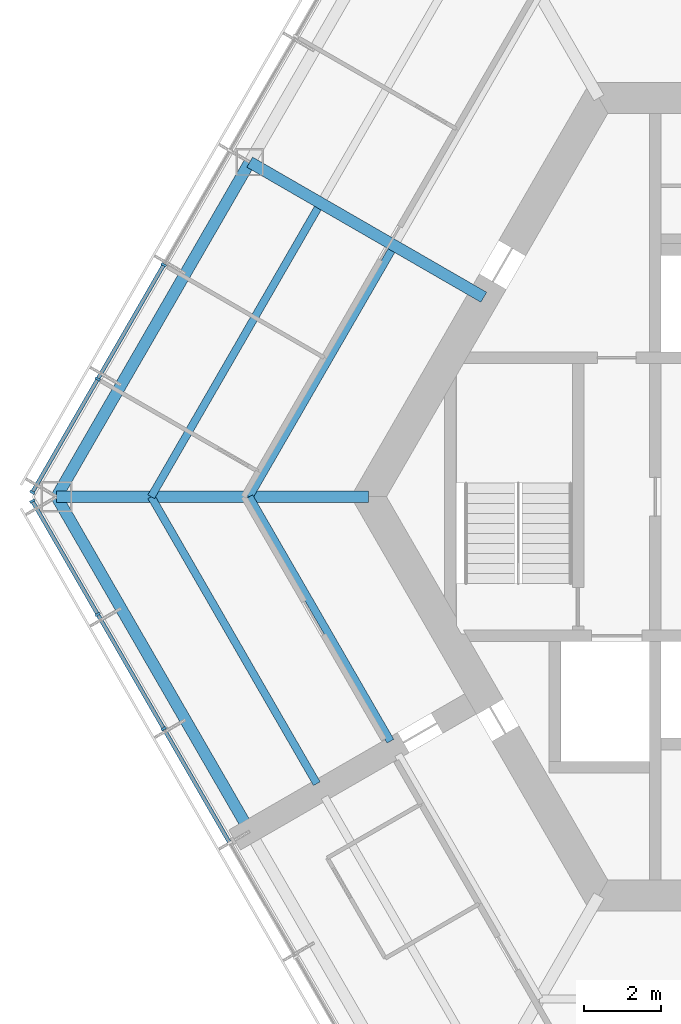
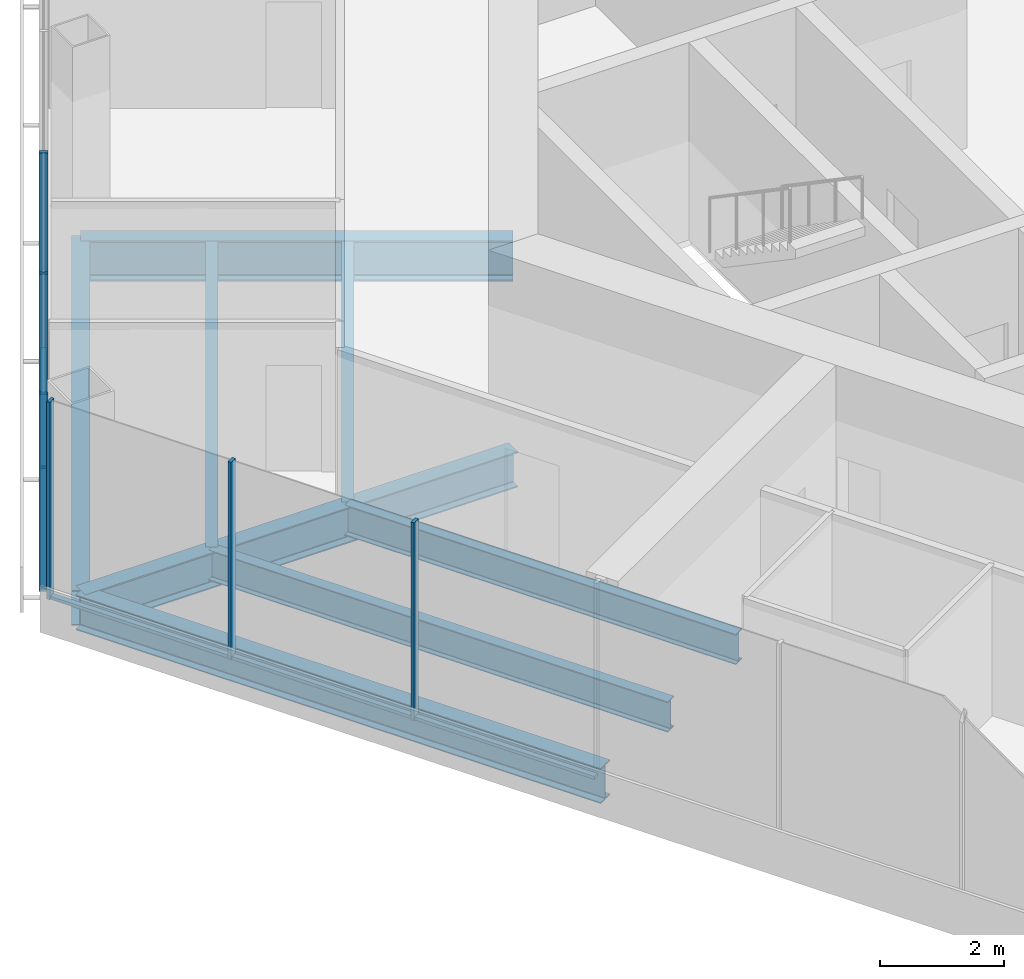
# One storey, part 3 of 16: 11 members, 8 beams, 2 elements without a shape of their own.
"""IFC4 building model written with IfcOpenShell, lengths in metres."""

from ifc_helpers import new_model, si_unit, direction, frame, origin, origin_2d, place, context, subcontext, project, spatial, rectangle, i_section, extrude, material, material_profile, profile_set, type_object, element, aggregate, save


model = new_model("IFC4")

# Units and contexts
model_context = context("Model", 3, precision=1e-05, world=origin(), true_north=direction((0.0, 1.0)))
body_context = subcontext(model_context, "Body", "Model", "MODEL_VIEW")
ifc_project = project(units=[si_unit("LENGTHUNIT", "METRE"), si_unit("AREAUNIT", "SQUARE_METRE"), si_unit("VOLUMEUNIT", "CUBIC_METRE"), si_unit("PLANEANGLEUNIT", "RADIAN"), si_unit("MASSUNIT", "GRAM", prefix="KILO")], contexts=[model_context])

# Site, building, storey
site_placement = place(None, origin())
site = spatial("IfcSite", under=ifc_project, at=site_placement, CompositionType="ELEMENT")
building_placement = place(site_placement, origin())
building = spatial("IfcBuilding", under=site, at=building_placement, Name="Kasaneha Research Tower", CompositionType="ELEMENT")
storey_placement = place(building_placement, frame((0.0, 0.0, 263.5)))
storey = spatial("IfcBuildingStorey", under=building, at=storey_placement, Name="L66", CompositionType="ELEMENT", Elevation=263.5)

# Beams
ifc_material_1 = material(Name="Steel SN490B", Category="steel")
ifc_material_profile_1 = material_profile(ifc_material_1, i_section(OverallWidth=0.199951171875, OverallDepth=0.60009765625, WebThickness=0.010986328125, FlangeThickness=0.01708984375, FilletRadius=0.012939453125, at=origin_2d()), Name="H-600x200x11x17")
ifc_profile_set_1 = profile_set([ifc_material_profile_1], Name="Steel SN490B")
beam_type_1 = type_object("IfcBeamType", Name="B1-3 secondary beam H-600x200x11x17", PredefinedType="JOIST", material=ifc_profile_set_1)
beam_1_placement = place(storey_placement, frame((-15.010986328125, 0.0, -0.449951171875), z_axis=(0.499994443168, 0.866028611999, 0.0), x_axis=(-0.866028611999, 0.499994443168, 0.0)))
element("IfcBeam", 1, at=beam_1_placement, inside=storey, type_object=beam_type_1, Name="Secondary beam RS150R1 L66", PredefinedType="JOIST", context=body_context, shape_type="SweptSolid", body=[
    extrude(i_section(OverallWidth=0.199951171875, OverallDepth=0.60009765625, WebThickness=0.010986328125, FlangeThickness=0.01708984375, FilletRadius=0.012939453125, at=origin_2d()), origin(), (0.0, 0.0, 1.0), 7.35546875),
])
beam_2_placement = place(storey_placement, frame((-17.551513671875, 0.0, -0.449951171875), z_axis=(0.5000050195, 0.866022505755, 0.0), x_axis=(-0.866022505755, 0.5000050195, 0.0)))
element("IfcBeam", 2, at=beam_2_placement, inside=storey, type_object=beam_type_1, Name="Secondary beam RS150R2 L66", PredefinedType="JOIST", context=body_context, shape_type="SweptSolid", body=[
    extrude(i_section(OverallWidth=0.199951171875, OverallDepth=0.60009765625, WebThickness=0.010986328125, FlangeThickness=0.01708984375, FilletRadius=0.012939453125, at=origin_2d()), origin(), (0.0, 0.0, 1.0), 8.6259765625),
])
beam_3_placement = place(storey_placement, frame((-15.010986328125, 0.0, -0.449951171875), z_axis=(0.499974128195, -0.866040340363, 0.0), x_axis=(0.866040340363, 0.499974128195, 0.0)))
element("IfcBeam", 3, at=beam_3_placement, inside=storey, type_object=beam_type_1, Name="Secondary beam RS210L1 L66", PredefinedType="JOIST", context=body_context, shape_type="SweptSolid", body=[
    extrude(i_section(OverallWidth=0.199951171875, OverallDepth=0.60009765625, WebThickness=0.010986328125, FlangeThickness=0.01708984375, FilletRadius=0.012939453125, at=origin_2d()), origin(), (0.0, 0.0, 1.0), 7.3056640625),
])
beam_4_placement = place(storey_placement, frame((-17.551513671875, 0.0, -0.449951171875), z_axis=(0.500000102728, -0.866025344474, 0.0), x_axis=(0.866025344474, 0.500000102728, 0.0)))
element("IfcBeam", 4, at=beam_4_placement, inside=storey, type_object=beam_type_1, Name="Secondary beam RS210L2 L66", PredefinedType="JOIST", context=body_context, shape_type="SweptSolid", body=[
    extrude(i_section(OverallWidth=0.199951171875, OverallDepth=0.60009765625, WebThickness=0.010986328125, FlangeThickness=0.01708984375, FilletRadius=0.012939453125, at=origin_2d()), origin(), (0.0, 0.0, 1.0), 8.57568359375),
])

# Curtain wall, members
ifc_material_2 = material(Name="Glass and aluminium", Category="aluminium")
curtain_wall_type = type_object("IfcCurtainWallType", Name="High-rise office curtain wall", PredefinedType="USERDEFINED", material=ifc_material_2)
curtain_wall_1_placement = place(storey_placement, origin())
curtain_wall_1 = element("IfcCurtainWall", 5, at=curtain_wall_1_placement, inside=storey, type_object=curtain_wall_type, Name="CW-O3 L66 run 03a", ObjectType="UNITISED CURTAIN WALL", PredefinedType="USERDEFINED")
ifc_material_3 = material(Name="Aluminium 6063-T6", Category="aluminium")
ifc_material_profile_2 = material_profile(ifc_material_3, rectangle(XDim=0.06005859375, YDim=0.139892578125, at=origin_2d()), Name="CW-O3 mullion 60x140")
ifc_profile_set_2 = profile_set([ifc_material_profile_2], Name="Aluminium 6063-T6")
member_type_1 = type_object("IfcMemberType", Name="CW-O3 mullion", PredefinedType="MULLION", material=ifc_profile_set_2)
member_1_placement = place(storey_placement, frame((-17.227294921875, 6.00244140625, 0.0), z_axis=(0.0, 0.0, 1.0), x_axis=(-0.499999995722, -0.866025406254, 0.0)))
member_1 = element("IfcMember", 6, at=member_1_placement, type_object=member_type_1, Name="CW-O3 mullion 5", PredefinedType="MULLION", context=body_context, shape_type="SweptSolid", body=[
    extrude(rectangle(XDim=0.06005859375, YDim=0.139892578125, at=origin_2d()), origin(), (0.0, 0.0, 1.0), 3.89990234375),
])
member_2_placement = place(storey_placement, frame((-18.93505859375, 3.04443359375, 0.0), z_axis=(0.0, 0.0, 1.0), x_axis=(-0.499999995722, -0.866025406254, 0.0)))
member_2 = element("IfcMember", 7, at=member_2_placement, type_object=member_type_1, Name="CW-O3 mullion 6", PredefinedType="MULLION", context=body_context, shape_type="SweptSolid", body=[
    extrude(rectangle(XDim=0.06005859375, YDim=0.139892578125, at=origin_2d()), origin(), (0.0, 0.0, 1.0), 3.89990234375),
])
member_3_placement = place(storey_placement, frame((-20.6279296875, 0.112548828125, 0.0), z_axis=(0.0, 0.0, 1.0), x_axis=(-0.499999995722, -0.866025406254, 0.0)))
member_3 = element("IfcMember", 8, at=member_3_placement, type_object=member_type_1, Name="CW-O3 mullion 7", PredefinedType="MULLION", context=body_context, shape_type="SweptSolid", body=[
    extrude(rectangle(XDim=0.06005859375, YDim=0.139892578125, at=origin_2d()), origin(), (0.0, 0.0, 1.0), 3.89990234375),
])

curtain_wall_2_placement = place(storey_placement, origin())
curtain_wall_2 = element("IfcCurtainWall", 9, at=curtain_wall_2_placement, inside=storey, type_object=curtain_wall_type, Name="CW-O3 L66 run 04a", ObjectType="UNITISED CURTAIN WALL", PredefinedType="USERDEFINED")
member_4_placement = place(storey_placement, frame((-20.6279296875, -0.112548828125, 0.0), z_axis=(0.0, 0.0, 1.0), x_axis=(0.499999995722, -0.866025406254, 0.0)))
member_4 = element("IfcMember", 10, at=member_4_placement, type_object=member_type_1, Name="CW-O3 mullion 1", PredefinedType="MULLION", context=body_context, shape_type="SweptSolid", body=[
    extrude(rectangle(XDim=0.06005859375, YDim=0.139892578125, at=origin_2d()), origin(), (0.0, 0.0, 1.0), 3.89990234375),
])
member_5_placement = place(storey_placement, frame((-18.93505859375, -3.04443359375, 0.0), z_axis=(0.0, 0.0, 1.0), x_axis=(0.499999995722, -0.866025406254, 0.0)))
member_5 = element("IfcMember", 11, at=member_5_placement, type_object=member_type_1, Name="CW-O3 mullion 2", PredefinedType="MULLION", context=body_context, shape_type="SweptSolid", body=[
    extrude(rectangle(XDim=0.06005859375, YDim=0.139892578125, at=origin_2d()), origin(), (0.0, 0.0, 1.0), 3.89990234375),
])
member_6_placement = place(storey_placement, frame((-17.227294921875, -6.00244140625, 0.0), z_axis=(0.0, 0.0, 1.0), x_axis=(0.499999995722, -0.866025406254, 0.0)))
member_6 = element("IfcMember", 12, at=member_6_placement, type_object=member_type_1, Name="CW-O3 mullion 3", PredefinedType="MULLION", context=body_context, shape_type="SweptSolid", body=[
    extrude(rectangle(XDim=0.06005859375, YDim=0.139892578125, at=origin_2d()), origin(), (0.0, 0.0, 1.0), 3.89990234375),
])

# Member
ifc_material_4 = material(Name="Aluminium 6063-T6", Category="aluminium")
ifc_material_profile_3 = material_profile(ifc_material_4, rectangle(XDim=0.10009765625, YDim=0.06005859375, at=origin_2d()), Name="CW-O3 transom 100x60")
ifc_profile_set_3 = profile_set([ifc_material_profile_3], Name="Aluminium 6063-T6")
member_type_2 = type_object("IfcMemberType", Name="CW-O3 transom", PredefinedType="USERDEFINED", material=ifc_profile_set_3)
member_7_placement = place(storey_placement, frame((-17.242431640625, 5.976318359375, 0.030029296875), z_axis=(-0.500020578564, -0.866013522419, 0.0), x_axis=(0.866013522419, -0.500020578564, 0.0)))
member_7 = element("IfcMember", 13, at=member_7_placement, type_object=member_type_2, Name="CW-O3 transom 5", ObjectType="TRANSOM", PredefinedType="USERDEFINED", context=body_context, shape_type="SweptSolid", body=[
    extrude(rectangle(XDim=0.10009765625, YDim=0.06005859375, at=origin_2d()), origin(), (0.0, 0.0, 1.0), 3.355224609375),
])

member_8_placement = place(storey_placement, frame((-18.9501953125, 3.0185546875, 0.030029296875), z_axis=(-0.49997666526, -0.866038875684, 0.0), x_axis=(0.866038875684, -0.49997666526, 0.0)))
member_8 = element("IfcMember", 14, at=member_8_placement, type_object=member_type_2, Name="CW-O3 transom 6", ObjectType="TRANSOM", PredefinedType="USERDEFINED", context=body_context, shape_type="SweptSolid", body=[
    extrude(rectangle(XDim=0.10009765625, YDim=0.06005859375, at=origin_2d()), origin(), (0.0, 0.0, 1.0), 3.325439453125),
])

aggregate(curtain_wall_1, [member_1, member_2, member_3, member_7, member_8])

member_9_placement = place(storey_placement, frame((-20.61279296875, -0.138671875, 0.030029296875), z_axis=(0.49997666526, -0.866038875684, 0.0), x_axis=(0.866038875684, 0.49997666526, 0.0)))
member_9 = element("IfcMember", 15, at=member_9_placement, type_object=member_type_2, Name="CW-O3 transom 1", ObjectType="TRANSOM", PredefinedType="USERDEFINED", context=body_context, shape_type="SweptSolid", body=[
    extrude(rectangle(XDim=0.10009765625, YDim=0.06005859375, at=origin_2d()), origin(), (0.0, 0.0, 1.0), 3.325439453125),
])

member_10_placement = place(storey_placement, frame((-18.920166015625, -3.070556640625, 0.030029296875), z_axis=(0.500020578564, -0.866013522419, 0.0), x_axis=(0.866013522419, 0.500020578564, 0.0)))
member_10 = element("IfcMember", 16, at=member_10_placement, type_object=member_type_2, Name="CW-O3 transom 2", ObjectType="TRANSOM", PredefinedType="USERDEFINED", context=body_context, shape_type="SweptSolid", body=[
    extrude(rectangle(XDim=0.10009765625, YDim=0.06005859375, at=origin_2d()), origin(), (0.0, 0.0, 1.0), 3.355224609375),
])

member_11_placement = place(storey_placement, frame((-17.21240234375, -6.0283203125, 0.030029296875), z_axis=(0.499989072476, -0.866031712701, 0.0), x_axis=(0.866031712701, 0.499989072476, 0.0)))
member_11 = element("IfcMember", 17, at=member_11_placement, type_object=member_type_2, Name="CW-O3 transom 3", ObjectType="TRANSOM", PredefinedType="USERDEFINED", context=body_context, shape_type="SweptSolid", body=[
    extrude(rectangle(XDim=0.10009765625, YDim=0.06005859375, at=origin_2d()), origin(), (0.0, 0.0, 1.0), 3.35546875),
])

aggregate(curtain_wall_2, [member_4, member_5, member_6, member_9, member_10, member_11])

# Beams
ifc_material_5 = material(Name="Steel SN490B", Category="steel")
ifc_material_profile_4 = material_profile(ifc_material_5, i_section(OverallWidth=0.300048828125, OverallDepth=0.699951171875, WebThickness=0.012939453125, FlangeThickness=0.02392578125, FilletRadius=0.01806640625, at=origin_2d()), Name="H-700x300x13x24")
ifc_profile_set_4 = profile_set([ifc_material_profile_4], Name="Steel SN490B")
beam_type_2 = type_object("IfcBeamType", Name="G1-3 radial girder H-700x300x13x24", PredefinedType="BEAM", material=ifc_profile_set_4)
beam_5_placement = place(storey_placement, frame((-11.92236328125, 0.0, -0.5), z_axis=(-1.0, 0.0, 0.0), x_axis=(0.0, -1.0, 0.0)))
element("IfcBeam", 18, at=beam_5_placement, inside=storey, type_object=beam_type_2, Name="Radial girder RV180 L66", PredefinedType="BEAM", context=body_context, shape_type="SweptSolid", body=[
    extrude(i_section(OverallWidth=0.300048828125, OverallDepth=0.699951171875, WebThickness=0.012939453125, FlangeThickness=0.02392578125, FilletRadius=0.01806640625, at=origin_2d()), origin(), (0.0, 0.0, 1.0), 8.07763671875),
])
ifc_material_6 = material(Name="Steel SN490B", Category="steel")
ifc_material_profile_5 = material_profile(ifc_material_6, i_section(OverallWidth=0.300048828125, OverallDepth=0.800048828125, WebThickness=0.013916015625, FlangeThickness=0.02587890625, FilletRadius=0.01806640625, at=origin_2d()), Name="H-800x300x14x26")
ifc_profile_set_5 = profile_set([ifc_material_profile_5], Name="Steel SN490B")
beam_type_3 = type_object("IfcBeamType", Name="G2-3 radial girder H-800x300x14x26", PredefinedType="BEAM", material=ifc_profile_set_5)
beam_6_placement = place(storey_placement, frame((-8.941650390625, 5.16259765625, -0.550048828125), z_axis=(-0.866039713508, 0.499975214012, 0.0), x_axis=(-0.499975214012, -0.866039713508, 0.0)))
element("IfcBeam", 19, at=beam_6_placement, inside=storey, type_object=beam_type_3, Name="Radial girder RM150 L66", PredefinedType="BEAM", context=body_context, shape_type="SweptSolid", body=[
    extrude(i_section(OverallWidth=0.300048828125, OverallDepth=0.800048828125, WebThickness=0.013916015625, FlangeThickness=0.02587890625, FilletRadius=0.01806640625, at=origin_2d()), origin(), (0.0, 0.0, 1.0), 6.995361328125),
])
ifc_material_7 = material(Name="Steel SN490B", Category="steel")
ifc_material_profile_6 = material_profile(ifc_material_7, i_section(OverallWidth=0.300048828125, OverallDepth=0.69189453125, WebThickness=0.012939453125, FlangeThickness=0.02001953125, FilletRadius=0.01806640625, at=origin_2d()), Name="H-692x300x13x20")
ifc_profile_set_6 = profile_set([ifc_material_profile_6], Name="Steel SN490B")
beam_type_4 = type_object("IfcBeamType", Name="G3-3 plate edge girder H-692x300x13x20", PredefinedType="BEAM", material=ifc_profile_set_6)
beam_7_placement = place(storey_placement, frame((-20.0, 0.0, -0.49609375), z_axis=(0.49999201416, -0.866030014362, 0.0), x_axis=(0.866030014362, 0.49999201416, 0.0)))
element("IfcBeam", 20, at=beam_7_placement, inside=storey, type_object=beam_type_4, Name="Plate edge girder PEBP L66", PredefinedType="BEAM", context=body_context, shape_type="SweptSolid", body=[
    extrude(i_section(OverallWidth=0.300048828125, OverallDepth=0.69189453125, WebThickness=0.012939453125, FlangeThickness=0.02001953125, FilletRadius=0.01806640625, at=origin_2d()), origin(), (0.0, 0.0, 1.0), 9.800048828125),
])
ifc_material_8 = material(Name="Steel SN490B", Category="steel")
ifc_material_profile_7 = material_profile(ifc_material_8, i_section(OverallWidth=0.300048828125, OverallDepth=0.69189453125, WebThickness=0.012939453125, FlangeThickness=0.02001953125, FilletRadius=0.01806640625, at=origin_2d()), Name="H-692x300x13x20")
ifc_profile_set_7 = profile_set([ifc_material_profile_7], Name="Steel SN490B")
beam_type_5 = type_object("IfcBeamType", Name="SB1-3 spandrel beam H-692x300x13x20", PredefinedType="SPANDREL", material=ifc_profile_set_7)
beam_8_placement = place(storey_placement, frame((-20.0, 0.0, -0.49609375), z_axis=(0.500004234368, 0.866022959057, 0.0), x_axis=(-0.866022959057, 0.500004234368, 0.0)))
element("IfcBeam", 21, at=beam_8_placement, inside=storey, type_object=beam_type_5, Name="Spandrel beam SR150R L66", PredefinedType="SPANDREL", context=body_context, shape_type="SweptSolid", body=[
    extrude(i_section(OverallWidth=0.300048828125, OverallDepth=0.69189453125, WebThickness=0.012939453125, FlangeThickness=0.02001953125, FilletRadius=0.01806640625, at=origin_2d()), origin(), (0.0, 0.0, 1.0), 10.0),
])

save(model, "model.ifc")
